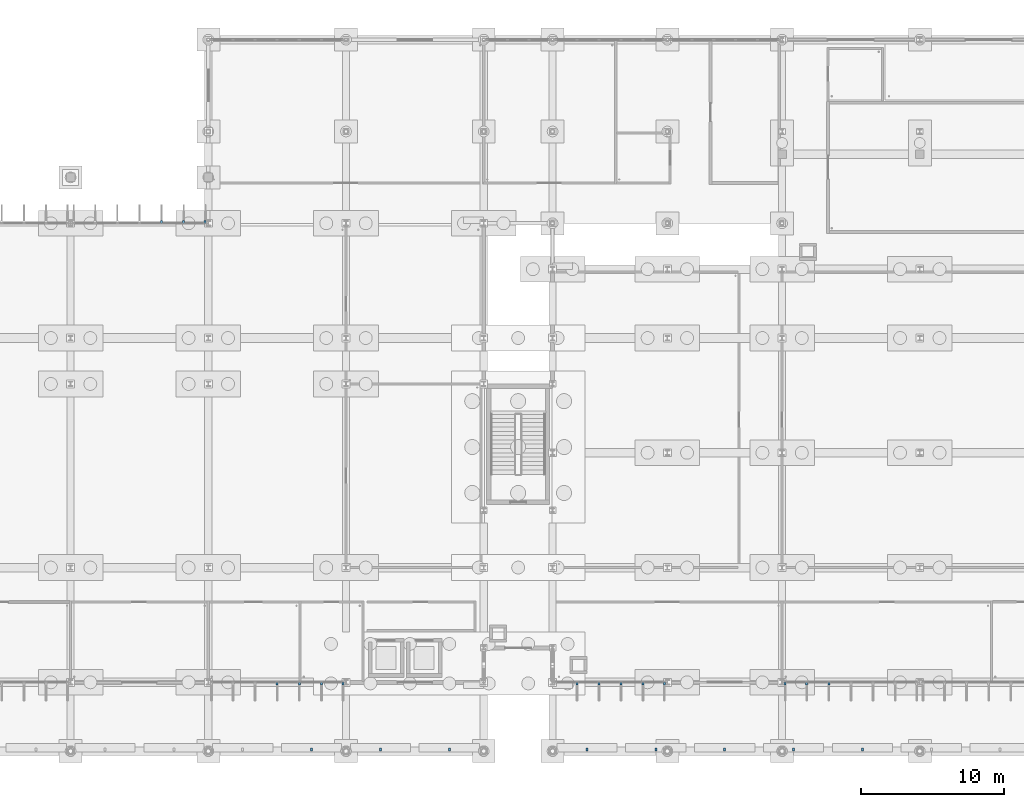
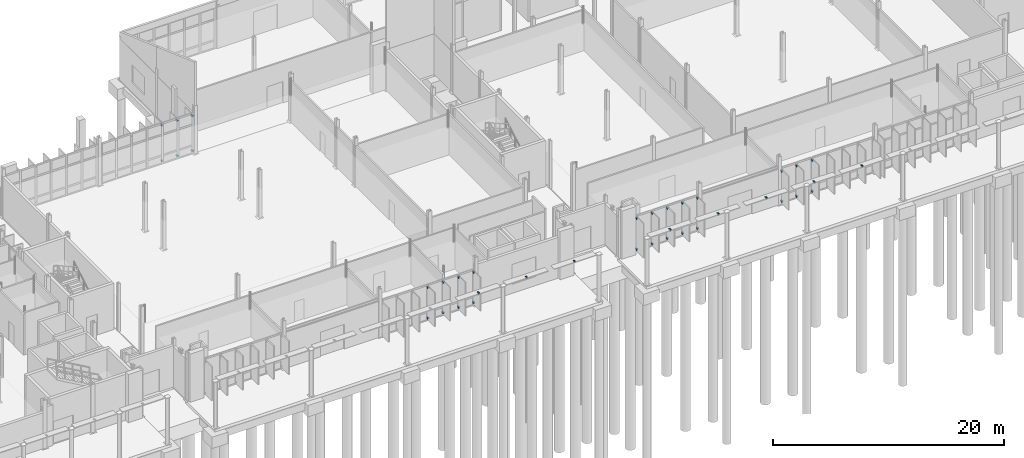
# One storey, part 98 of 111: 38 discrete accessories.
"""IFC4 building model written with IfcOpenShell, lengths in metres."""

import ifcopenshell
import ifcopenshell.guid

model = None  # the IFC model being written
_history = None  # IfcOwnerHistory: only IFC2X3 demands one
_inside = {}  # id of a spatial element -> (the spatial element, [elements in it])
_under = {}  # id of a project, library or spatial element -> (it, [spatial elements below it])
_declared = {}  # id of a project -> (the project, [libraries it declares])
_typed = {}  # id of a type object -> (the type object, [elements of that type])
_made_of = {}  # id of a material, layer set ... -> (it, [elements and type objects made of it])


def new_model(schema):
    """Start an empty IFC model of exactly this schema.

    Asked for "IFC4X3", IfcOpenShell would pick the latest addendum, in which some entities
    have other attributes; the version numbers below select the first issue.
    IFC2X3 requires an IfcOwnerHistory on every rooted entity: one is made here for all.
    """
    global model, _history
    if schema == "IFC4X3":
        model = ifcopenshell.file(schema_version=(4, 3, 0, 0))
    else:
        model = ifcopenshell.file(schema=schema)
    _inside.clear()
    _under.clear()
    _declared.clear()
    _typed.clear()
    _made_of.clear()
    _history = None
    if model.schema == "IFC2X3":
        org = make("IfcOrganization", Name="unknown")
        user = make(
            "IfcPersonAndOrganization",
            ThePerson=make("IfcPerson", FamilyName="unknown"),
            TheOrganization=org,
        )
        app = make(
            "IfcApplication",
            ApplicationDeveloper=org,
            Version="unknown",
            ApplicationFullName="unknown",
            ApplicationIdentifier="unknown",
        )
        _history = make(
            "IfcOwnerHistory",
            OwningUser=user,
            OwningApplication=app,
            ChangeAction="ADDED",
            CreationDate=0,
        )
    return model


def make(cls, **values):
    """One entity of the class cls with the attributes given. An attribute that is None is left unset."""
    return model.create_entity(
        cls, **{name: value for name, value in values.items() if value is not None}
    )


def rooted(cls, **values):
    """An entity with a GlobalId (a new one), such as an element, a storey or a relation."""
    return make(cls, GlobalId=ifcopenshell.guid.new(), OwnerHistory=_history, **values)


def si_unit(unit_type, name, prefix=None):
    """IfcSIUnit, for example si_unit("LENGTHUNIT", "METRE", prefix="MILLI")."""
    return make("IfcSIUnit", UnitType=unit_type, Prefix=prefix, Name=name)


def assignment(units):
    """IfcUnitAssignment: the units of a project."""
    return None if units is None else make("IfcUnitAssignment", Units=units)


def point(xyz):
    """IfcCartesianPoint."""
    return None if xyz is None else make("IfcCartesianPoint", Coordinates=xyz)


def direction(xyz):
    """IfcDirection."""
    return None if xyz is None else make("IfcDirection", DirectionRatios=xyz)


def frame(location, z_axis=None, x_axis=None):
    """IfcAxis2Placement3D, a coordinate frame: its origin and axes. An axis left out is left unset."""
    return make(
        "IfcAxis2Placement3D",
        Location=point(location),
        Axis=direction(z_axis),
        RefDirection=direction(x_axis),
    )


def frame_2d(location, x_axis=None):
    """IfcAxis2Placement2D, a coordinate frame in the plane: its origin and x axis."""
    return make(
        "IfcAxis2Placement2D", Location=point(location), RefDirection=direction(x_axis)
    )


def origin():
    """The frame at (0, 0, 0) with its axes left unset."""
    return frame((0.0, 0.0, 0.0))


def origin_2d():
    """The frame at (0, 0) in the plane with its x axis left unset."""
    return frame_2d((0.0, 0.0))


def place(relative_to, where):
    """IfcLocalPlacement: puts the frame where relative to a parent placement (None: the world)."""
    return make(
        "IfcLocalPlacement", PlacementRelTo=relative_to, RelativePlacement=where
    )


def context(
    kind, dimensions, precision=None, world=None, true_north=None, identifier=None
):
    """IfcGeometricRepresentationContext, for example the 3D "Model" context."""
    return make(
        "IfcGeometricRepresentationContext",
        ContextIdentifier=identifier,
        ContextType=kind,
        CoordinateSpaceDimension=dimensions,
        Precision=precision,
        WorldCoordinateSystem=world,
        TrueNorth=true_north,
    )


def subcontext(parent, identifier, kind, view, scale=None):
    """IfcGeometricRepresentationSubContext, for example "Body" below "Model"."""
    return make(
        "IfcGeometricRepresentationSubContext",
        ContextIdentifier=identifier,
        ContextType=kind,
        ParentContext=parent,
        TargetScale=scale,
        TargetView=view,
    )


def project(units=None, contexts=None):
    """IfcProject with its units and contexts."""
    return rooted(
        "IfcProject",
        Name="project",
        RepresentationContexts=contexts,
        UnitsInContext=assignment(units),
    )


def spatial(cls, under=None, at=None, **own):
    """A site, building, storey or space (cls), placed at a placement, below another one or the project."""
    s = rooted(cls, ObjectPlacement=at, **own)
    if under is not None:
        _under.setdefault(under.id(), (under, []))[1].append(s)
    return s


def profile(cls, at=None, kind="AREA", **sizes):
    """A parametric profile (cls). Its sizes go by their IFC names, for example OverallWidth=200.0."""
    return make(cls, ProfileType=kind, Position=at, **sizes)


def rectangle(**sizes):
    """IfcRectangleProfileDef."""
    return profile("IfcRectangleProfileDef", **sizes)


def extrude(swept, where, along, depth):
    """IfcExtrudedAreaSolid: the profile swept, set in the frame where, extruded along a direction by depth."""
    return make(
        "IfcExtrudedAreaSolid",
        SweptArea=swept,
        Position=where,
        ExtrudedDirection=direction(along),
        Depth=depth,
    )


def shape(context_of_items, identifier, shape_type, items):
    """IfcShapeRepresentation: the items that make up one representation, for example the "Body"."""
    return make(
        "IfcShapeRepresentation",
        ContextOfItems=context_of_items,
        RepresentationIdentifier=identifier,
        RepresentationType=shape_type,
        Items=items,
    )


def material(Name=None, Category=None):
    """IfcMaterial."""
    return make("IfcMaterial", Name=Name, Category=Category)


def made_of(thing, what):
    """Note that an element or type object is made of a material, layer set ...; save() writes the relation."""
    if what is not None:
        _made_of.setdefault(what.id(), (what, []))[1].append(thing)
    return thing


def type_object(cls, material=None, **own):
    """A type object (cls), such as IfcWallType, which elements share."""
    return made_of(rooted(cls, **own), material)


def element(
    cls,
    number,
    at=None,
    inside=None,
    cuts=None,
    type_object=None,
    material=None,
    context=None,
    identifier="Body",
    shape_type=None,
    held_by="IfcProductDefinitionShape",
    body=None,
    shapes=None,
    **own,
):
    """One element of the class cls, such as IfcWall. Its Tag is "e" and its number.

    at: its placement. inside: the storey or other place that contains it. cuts: it is an
    opening in that element (IfcRelVoidsElement). A single representation is given by context,
    identifier, shape_type and body (its items); several are given by shapes. held_by: the class
    of the entity that holds the representations. save() writes the other relations.
    """
    e = rooted(cls, Tag="e%d" % number, ObjectPlacement=at, **own)
    if body is not None:
        shapes = [shape(context, identifier, shape_type, body)]
    if shapes is not None:
        e.Representation = make(held_by, Representations=shapes)
    if inside is not None:
        _inside.setdefault(inside.id(), (inside, []))[1].append(e)
    if cuts is not None:
        rooted(
            "IfcRelVoidsElement", RelatingBuildingElement=cuts, RelatedOpeningElement=e
        )
    if type_object is not None:
        _typed.setdefault(type_object.id(), (type_object, []))[1].append(e)
    return made_of(e, material)


def aggregate(whole, parts):
    """IfcRelAggregates: a whole, such as a stair, and the parts it consists of."""
    return rooted("IfcRelAggregates", RelatingObject=whole, RelatedObjects=parts)


def save(model, path):
    """Write the relations noted so far, then the file.

    IfcRelAggregates (storeys below a building ...), IfcRelContainedInSpatialStructure (elements
    in a storey), IfcRelDefinesByType, IfcRelAssociatesMaterial and IfcRelDeclares: one each for
    every whole, place, type object, material and project.
    """
    for whole, parts in _under.values():
        aggregate(whole, parts)
    for where, things in _inside.values():
        rooted(
            "IfcRelContainedInSpatialStructure",
            RelatedElements=things,
            RelatingStructure=where,
        )
    for kind, things in _typed.values():
        rooted("IfcRelDefinesByType", RelatedObjects=things, RelatingType=kind)
    for what, things in _made_of.values():
        rooted("IfcRelAssociatesMaterial", RelatedObjects=things, RelatingMaterial=what)
    for by, libraries in _declared.values():
        rooted("IfcRelDeclares", RelatingContext=by, RelatedDefinitions=libraries)
    model.write(path)


model = new_model("IFC4")

# Units and contexts
model_context = context("Model", 3, precision=1e-05, world=origin(), true_north=direction((0.0, 1.0)))
body_context = subcontext(model_context, "Body", "Model", "MODEL_VIEW")
ifc_project = project(units=[si_unit("LENGTHUNIT", "METRE"), si_unit("AREAUNIT", "SQUARE_METRE"), si_unit("VOLUMEUNIT", "CUBIC_METRE"), si_unit("PLANEANGLEUNIT", "RADIAN"), si_unit("MASSUNIT", "GRAM", prefix="KILO")], contexts=[model_context])

# Site, building, storey
site_placement = place(None, origin())
site = spatial("IfcSite", under=ifc_project, at=site_placement, CompositionType="ELEMENT")
building_placement = place(site_placement, origin())
building = spatial("IfcBuilding", under=site, at=building_placement, Name="Dunescarp Central Library", CompositionType="ELEMENT")
storey_placement = place(building_placement, origin())
storey = spatial("IfcBuildingStorey", under=building, at=storey_placement, Name="L00", CompositionType="ELEMENT", Elevation=0.0)

# Discrete accessories
ifc_material = material(Name="Stainless steel Grade 316L", Category="steel")
discrete_accessory_type = type_object("IfcDiscreteAccessoryType", Name="ARC-ACC-BRK", PredefinedType="BRACKET", material=ifc_material)
for number, where, z_axis, x_axis, name in (
    (1, (66.985107421875, 4.719970703125, 0.27685546875), (0.0, 0.0, 1.0), (0.0, -1.0, 0.0), "Fin bracket BRK-FIN-L00-0318-B"),
    (2, (66.985107421875, 4.719970703125, 3.47509765625), (0.0, 0.0, 1.0), (0.0, -1.0, 0.0), "Fin bracket BRK-FIN-L00-0318-T"),
    (3, (65.48291015625, 4.719970703125, 0.2900390625), (0.0, 0.0, 1.0), (0.0, -1.0, 0.0), "Fin bracket BRK-FIN-L00-0319-B"),
    (4, (65.48291015625, 4.719970703125, 3.47509765625), (0.0, 0.0, 1.0), (0.0, -1.0, 0.0), "Fin bracket BRK-FIN-L00-0319-T"),
    (5, (63.94189453125, 4.719970703125, 0.27392578125), (0.0, 0.0, 1.0), (0.0, -1.0, 0.0), "Fin bracket BRK-FIN-L00-0320-B"),
    (6, (63.94189453125, 4.719970703125, 3.47509765625), (0.0, 0.0, 1.0), (0.0, -1.0, 0.0), "Fin bracket BRK-FIN-L00-0320-T"),
    (7, (62.39990234375, 4.719970703125, 0.23291015625), (0.0, 0.0, 1.0), (0.0, -1.0, 0.0), "Fin bracket BRK-FIN-L00-0321-B"),
    (8, (62.39990234375, 4.719970703125, 3.47509765625), (0.0, 0.0, 1.0), (0.0, -1.0, 0.0), "Fin bracket BRK-FIN-L00-0321-T"),
    (9, (54.342041015625, 36.8798828125, 0.18994140625), (0.0, 0.0, 1.0), (0.0, 1.0, 0.0), "Fin bracket BRK-FIN-L00-0335-B"),
    (10, (54.342041015625, 36.8798828125, 3.97412109375), (0.0, 0.0, 1.0), (0.0, 1.0, 0.0), "Fin bracket BRK-FIN-L00-0335-T"),
    (11, (55.883056640625, 36.8798828125, 0.18994140625), (0.0, 0.0, 1.0), (0.0, 1.0, 0.0), "Fin bracket BRK-FIN-L00-0336-B"),
    (12, (55.883056640625, 36.8798828125, 3.923828125), (0.0, 0.0, 1.0), (0.0, 1.0, 0.0), "Fin bracket BRK-FIN-L00-0336-T"),
    (13, (57.385009765625, 36.8798828125, 0.18994140625), (0.0, 0.0, 1.0), (0.0, 1.0, 0.0), "Fin bracket BRK-FIN-L00-0337-B"),
    (14, (57.385009765625, 36.8798828125, 3.89111328125), (0.0, 0.0, 1.0), (0.0, 1.0, 0.0), "Fin bracket BRK-FIN-L00-0337-T"),
    (15, (89.385009765625, 4.719970703125, 0.27685546875), (0.0, 0.0, 1.0), (0.0, -1.0, 0.0), "Fin bracket BRK-FIN-L00-0561-B"),
    (16, (89.385009765625, 4.719970703125, 3.47509765625), (0.0, 0.0, 1.0), (0.0, -1.0, 0.0), "Fin bracket BRK-FIN-L00-0561-T"),
    (17, (87.89501953125, 4.719970703125, 0.2900390625), (0.0, 0.0, 1.0), (0.0, -1.0, 0.0), "Fin bracket BRK-FIN-L00-0562-B"),
    (18, (87.89501953125, 4.719970703125, 3.47509765625), (0.0, 0.0, 1.0), (0.0, -1.0, 0.0), "Fin bracket BRK-FIN-L00-0562-T"),
    (19, (86.364990234375, 4.719970703125, 0.27392578125), (0.0, 0.0, 1.0), (0.0, -1.0, 0.0), "Fin bracket BRK-FIN-L00-0563-B"),
    (20, (86.364990234375, 4.719970703125, 3.47509765625), (0.0, 0.0, 1.0), (0.0, -1.0, 0.0), "Fin bracket BRK-FIN-L00-0563-T"),
    (21, (84.8349609375, 4.719970703125, 0.23291015625), (0.0, 0.0, 1.0), (0.0, -1.0, 0.0), "Fin bracket BRK-FIN-L00-0564-B"),
    (22, (84.8349609375, 4.719970703125, 3.47509765625), (0.0, 0.0, 1.0), (0.0, -1.0, 0.0), "Fin bracket BRK-FIN-L00-0564-T"),
    (23, (83.304931640625, 4.719970703125, 0.18994140625), (0.0, 0.0, 1.0), (0.0, -1.0, 0.0), "Fin bracket BRK-FIN-L00-0565-B"),
    (24, (83.304931640625, 4.719970703125, 3.4638671875), (0.0, 0.0, 1.0), (0.0, -1.0, 0.0), "Fin bracket BRK-FIN-L00-0565-T"),
    (25, (100.85791015625, 4.719970703125, 0.18994140625), (0.0, 0.0, 1.0), (0.0, -1.0, 0.0), "Fin bracket BRK-FIN-L00-0570-B"),
    (26, (100.85791015625, 4.719970703125, 3.4638671875), (0.0, 0.0, 1.0), (0.0, -1.0, 0.0), "Fin bracket BRK-FIN-L00-0570-T"),
    (27, (99.31689453125, 4.719970703125, 0.18994140625), (0.0, 0.0, 1.0), (0.0, -1.0, 0.0), "Fin bracket BRK-FIN-L00-0571-B"),
    (28, (99.31689453125, 4.719970703125, 3.4140625), (0.0, 0.0, 1.0), (0.0, -1.0, 0.0), "Fin bracket BRK-FIN-L00-0571-T"),
    (29, (97.81494140625, 4.719970703125, 0.18994140625), (0.0, 0.0, 1.0), (0.0, -1.0, 0.0), "Fin bracket BRK-FIN-L00-0572-B"),
    (30, (97.81494140625, 4.719970703125, 3.380859375), (0.0, 0.0, 1.0), (0.0, -1.0, 0.0), "Fin bracket BRK-FIN-L00-0572-T"),
):
    element("IfcDiscreteAccessory", number, at=place(storey_placement, frame(where, z_axis=z_axis, x_axis=x_axis)), inside=storey, type_object=discrete_accessory_type, Name=name, PredefinedType="BRACKET", context=body_context, shape_type="SweptSolid", body=[
        extrude(rectangle(XDim=0.219970703125, YDim=0.139892578125, at=origin_2d()), origin(), (0.0, 0.0, 1.0), 0.139892578125),
    ])
for number, where, z_axis, x_axis, name in (
    (31, (64.800048828125, 0.1201171875, 4.81982421875), (0.0, 0.0, 1.0), (1.0, 0.0, 0.0), "Louvre bracket 013"),
    (32, (69.60009765625, 0.1201171875, 4.81982421875), (0.0, 0.0, 1.0), (1.0, 0.0, 0.0), "Louvre bracket 014"),
    (33, (74.39990234375, 0.1201171875, 4.81982421875), (0.0, 0.0, 1.0), (1.0, 0.0, 0.0), "Louvre bracket 015"),
    (34, (84.0, 0.1201171875, 4.81982421875), (0.0, 0.0, 1.0), (1.0, 0.0, 0.0), "Louvre bracket 016"),
    (35, (88.800048828125, 0.1201171875, 4.81982421875), (0.0, 0.0, 1.0), (1.0, 0.0, 0.0), "Louvre bracket 017"),
    (36, (93.60009765625, 0.1201171875, 4.81982421875), (0.0, 0.0, 1.0), (1.0, 0.0, 0.0), "Louvre bracket 018"),
    (37, (98.39990234375, 0.1201171875, 4.81982421875), (0.0, 0.0, 1.0), (1.0, 0.0, 0.0), "Louvre bracket 019"),
    (38, (103.199951171875, 0.1201171875, 4.81982421875), (0.0, 0.0, 1.0), (1.0, 0.0, 0.0), "Louvre bracket 020"),
):
    element("IfcDiscreteAccessory", number, at=place(storey_placement, frame(where, z_axis=z_axis, x_axis=x_axis)), inside=storey, type_object=discrete_accessory_type, Name=name, PredefinedType="BRACKET", context=body_context, shape_type="SweptSolid", body=[
        extrude(rectangle(XDim=0.139892578125, YDim=0.219970703125, at=origin_2d()), origin(), (0.0, 0.0, 1.0), 0.139892578125),
    ])

save(model, "model.ifc")
